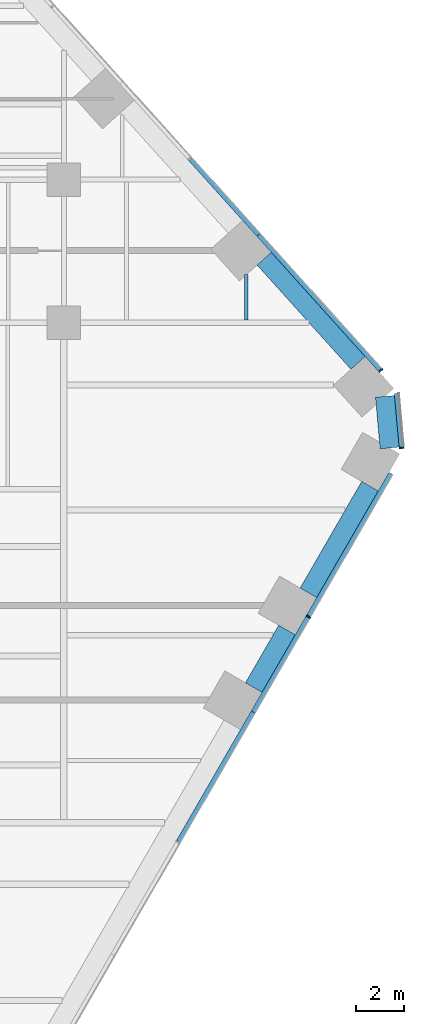
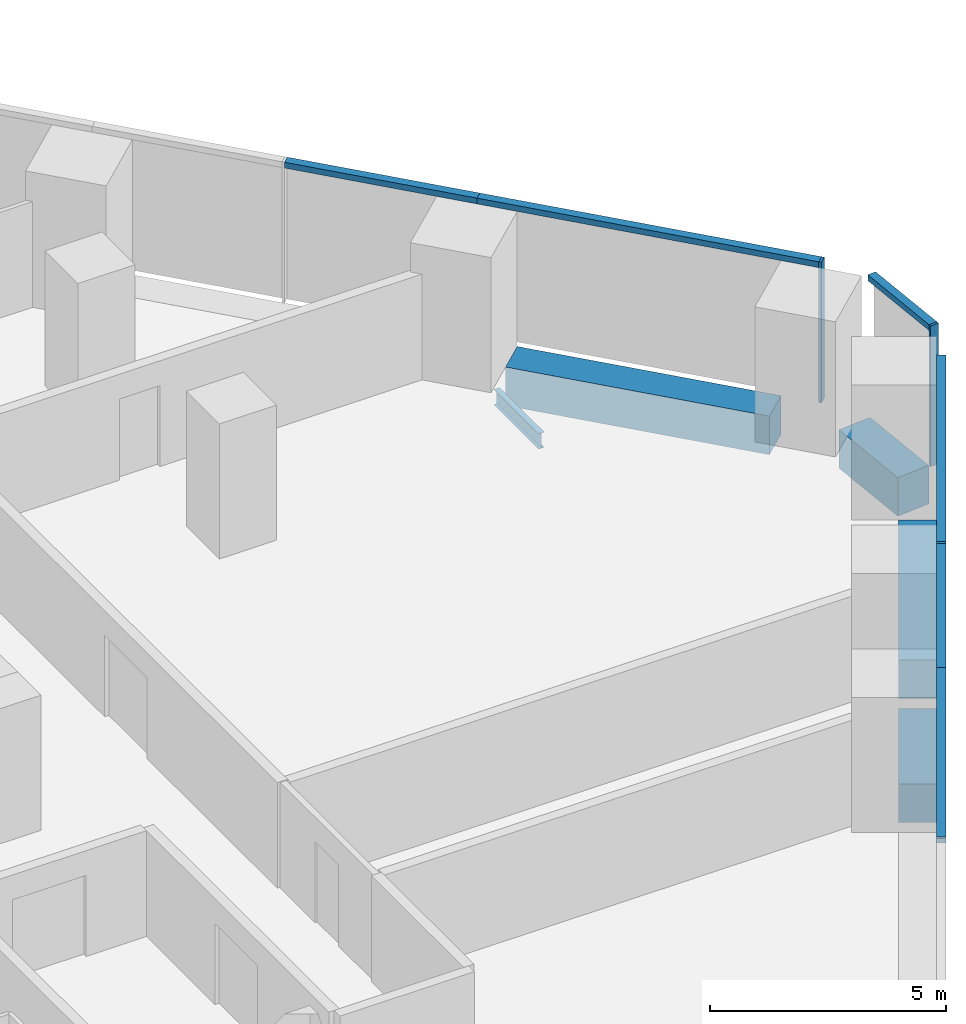
# One storey, part 11 of 20: 9 members, 5 beams, 3 elements without a shape of their own.
"""IFC4 building model written with IfcOpenShell, lengths in metres."""

from ifc_helpers import new_model, si_unit, direction, frame, origin, origin_2d, place, context, subcontext, project, spatial, rectangle, i_section, extrude, material, layer, layer_set, material_profile, profile_set, type_object, element, aggregate, save


model = new_model("IFC4")

# Units and contexts
model_context = context("Model", 3, precision=1e-05, world=origin(), true_north=direction((0.0, 1.0)))
body_context = subcontext(model_context, "Body", "Model", "MODEL_VIEW")
ifc_project = project(units=[si_unit("LENGTHUNIT", "METRE"), si_unit("AREAUNIT", "SQUARE_METRE"), si_unit("VOLUMEUNIT", "CUBIC_METRE"), si_unit("PLANEANGLEUNIT", "RADIAN"), si_unit("MASSUNIT", "GRAM", prefix="KILO")], contexts=[model_context])

# Site, building, storey
site_placement = place(None, origin())
site = spatial("IfcSite", under=ifc_project, at=site_placement, CompositionType="ELEMENT")
building_placement = place(site_placement, origin())
building = spatial("IfcBuilding", under=site, at=building_placement, Name="Isthmus Gate Tower", CompositionType="ELEMENT")
storey_placement = place(building_placement, frame((0.0, 0.0, 43.300048828125)))
storey = spatial("IfcBuildingStorey", under=building, at=storey_placement, Name="L08", CompositionType="ELEMENT", Elevation=43.300048828125)

# Curtain wall, member
ifc_material_1 = material(Name="Aluminium, pale champagne anodised", Category="aluminium")
ifc_layer = layer(ifc_material_1, 0.199951171875)
ifc_layer_set = layer_set([ifc_layer], Name="CW-1 UNITISED CURTAIN WALL 200 DEEP")
curtain_wall_type = type_object("IfcCurtainWallType", Name="CW-1 UNITISED CURTAIN WALL 200 DEEP", PredefinedType="NOTDEFINED", material=ifc_layer_set)
curtain_wall_1_placement = place(storey_placement, origin())
curtain_wall_1 = element("IfcCurtainWall", 1, at=curtain_wall_1_placement, inside=storey, type_object=curtain_wall_type, Name="CW-1 SE L08", PredefinedType="NOTDEFINED")
ifc_material_2 = material(Name="Aluminium, pale champagne anodised", Category="aluminium")
ifc_material_profile_1 = material_profile(ifc_material_2, rectangle(XDim=0.06005859375, YDim=0.199951171875, at=origin_2d()), Name="60x200")
ifc_profile_set_1 = profile_set([ifc_material_profile_1], Name="Aluminium, pale champagne anodised")
member_type_1 = type_object("IfcMemberType", Name="CW-1 MULLION 60 X 200", PredefinedType="MULLION", material=ifc_profile_set_1)
member_1_placement = place(storey_placement, frame((34.267822265625, -4.846435546875, 0.0), z_axis=(0.0, 0.0, 1.0), x_axis=(0.5, 0.866025403784, 0.0)))
member_1 = element("IfcMember", 2, at=member_1_placement, type_object=member_type_1, Name="CW-1 mullion", PredefinedType="MULLION", context=body_context, shape_type="SweptSolid", body=[
    extrude(rectangle(XDim=0.06005859375, YDim=0.199951171875, at=origin_2d()), origin(), (0.0, 0.0, 1.0), 3.64990234375),
])

curtain_wall_2_placement = place(storey_placement, origin())
curtain_wall_2 = element("IfcCurtainWall", 3, at=curtain_wall_2_placement, inside=storey, type_object=curtain_wall_type, Name="CW-1 SE-NE L08", PredefinedType="NOTDEFINED")
member_2_placement = place(storey_placement, frame((38.178955078125, 2.24169921875, 0.0), z_axis=(0.0, 0.0, 1.0), x_axis=(-0.089396669717, 0.995996102123, 0.0)))
member_2 = element("IfcMember", 4, at=member_2_placement, type_object=member_type_1, Name="CW-1 mullion", PredefinedType="MULLION", context=body_context, shape_type="SweptSolid", body=[
    extrude(rectangle(XDim=0.06005859375, YDim=0.199951171875, at=origin_2d()), origin(), (0.0, 0.0, 1.0), 3.64990234375),
])

curtain_wall_3_placement = place(storey_placement, origin())
curtain_wall_3 = element("IfcCurtainWall", 5, at=curtain_wall_3_placement, inside=storey, type_object=curtain_wall_type, Name="CW-1 NE L08", PredefinedType="NOTDEFINED")
member_3_placement = place(storey_placement, frame((37.306640625, 5.494384765625, 0.0), z_axis=(0.0, 0.0, 1.0), x_axis=(-0.669130606359, 0.743144825477, 0.0)))
member_3 = element("IfcMember", 6, at=member_3_placement, type_object=member_type_1, Name="CW-1 mullion", PredefinedType="MULLION", context=body_context, shape_type="SweptSolid", body=[
    extrude(rectangle(XDim=0.06005859375, YDim=0.199951171875, at=origin_2d()), origin(), (0.0, 0.0, 1.0), 3.64990234375),
])

# Member
ifc_material_3 = material(Name="Aluminium, pale champagne anodised", Category="aluminium")
ifc_material_profile_2 = material_profile(ifc_material_3, rectangle(XDim=0.199951171875, YDim=0.14990234375, at=origin_2d()), Name="200x150")
ifc_profile_set_2 = profile_set([ifc_material_profile_2], Name="Aluminium, pale champagne anodised")
member_type_2 = type_object("IfcMemberType", Name="CW-1 TRANSOM 200 X 150", PredefinedType="USERDEFINED", material=ifc_profile_set_2)
member_4_placement = place(storey_placement, frame((28.817138671875, -14.287353515625, 3.574951171875), z_axis=(0.499995104884, 0.866028229963, 0.0), x_axis=(-0.866028229963, 0.499995104884, 0.0)))
member_4 = element("IfcMember", 7, at=member_4_placement, type_object=member_type_2, Name="CW-1 transom", ObjectType="TRANSOM", PredefinedType="USERDEFINED", context=body_context, shape_type="SweptSolid", body=[
    extrude(rectangle(XDim=0.199951171875, YDim=0.14990234375, at=origin_2d()), origin(), (0.0, 0.0, 1.0), 6.2783203125),
])

member_5_placement = place(storey_placement, frame((31.956298828125, -8.85009765625, 3.574951171875), z_axis=(0.499992401796, 0.866029790565, 0.0), x_axis=(-0.866029790565, 0.499992401796, 0.0)))
member_5 = element("IfcMember", 8, at=member_5_placement, type_object=member_type_2, Name="CW-1 transom", ObjectType="TRANSOM", PredefinedType="USERDEFINED", context=body_context, shape_type="SweptSolid", body=[
    extrude(rectangle(XDim=0.199951171875, YDim=0.14990234375, at=origin_2d()), origin(), (0.0, 0.0, 1.0), 4.5927734375),
])

member_6_placement = place(storey_placement, frame((34.28271484375, -4.820556640625, 3.574951171875), z_axis=(0.500003839917, 0.866023186796, 0.0), x_axis=(-0.866023186796, 0.500003839917, 0.0)))
member_6 = element("IfcMember", 9, at=member_6_placement, type_object=member_type_2, Name="CW-1 transom", ObjectType="TRANSOM", PredefinedType="USERDEFINED", context=body_context, shape_type="SweptSolid", body=[
    extrude(rectangle(XDim=0.199951171875, YDim=0.14990234375, at=origin_2d()), origin(), (0.0, 0.0, 1.0), 6.90966796875),
])

aggregate(curtain_wall_1, [member_4, member_5, member_1, member_6])

member_7_placement = place(storey_placement, frame((38.17626953125, 2.271728515625, 3.574951171875), z_axis=(-0.089395362867, 0.995996219419, 0.0), x_axis=(-0.995996219419, -0.089395362867, 0.0)))
member_7 = element("IfcMember", 10, at=member_7_placement, type_object=member_type_2, Name="CW-1 transom", ObjectType="TRANSOM", PredefinedType="USERDEFINED", context=body_context, shape_type="SweptSolid", body=[
    extrude(rectangle(XDim=0.199951171875, YDim=0.14990234375, at=origin_2d()), origin(), (0.0, 0.0, 1.0), 2.258544921875),
])

aggregate(curtain_wall_2, [member_2, member_7])

member_8_placement = place(storey_placement, frame((37.28662109375, 5.5166015625, 3.574951171875), z_axis=(-0.66912913739, 0.74314614814, 0.0), x_axis=(-0.74314614814, -0.66912913739, 0.0)))
member_8 = element("IfcMember", 11, at=member_8_placement, type_object=member_type_2, Name="CW-1 transom", ObjectType="TRANSOM", PredefinedType="USERDEFINED", context=body_context, shape_type="SweptSolid", body=[
    extrude(rectangle(XDim=0.199951171875, YDim=0.14990234375, at=origin_2d()), origin(), (0.0, 0.0, 1.0), 7.62939453125),
])

member_9_placement = place(storey_placement, frame((32.181640625, 11.186279296875, 3.574951171875), z_axis=(-0.669131169216, 0.743144318678, 0.0), x_axis=(-0.743144318678, -0.669131169216, 0.0)))
member_9 = element("IfcMember", 12, at=member_9_placement, type_object=member_type_2, Name="CW-1 transom", ObjectType="TRANSOM", PredefinedType="USERDEFINED", context=body_context, shape_type="SweptSolid", body=[
    extrude(rectangle(XDim=0.199951171875, YDim=0.14990234375, at=origin_2d()), origin(), (0.0, 0.0, 1.0), 4.294677734375),
])

aggregate(curtain_wall_3, [member_3, member_8, member_9])

# Beams
ifc_material_4 = material(Name="Concrete f'c 70 MPa", Category="concrete")
ifc_material_profile_3 = material_profile(ifc_material_4, rectangle(XDim=0.800048828125, YDim=1.0, at=origin_2d()), Name="RC 800X1000")
ifc_profile_set_3 = profile_set([ifc_material_profile_3], Name="Concrete f'c 70 MPa")
beam_type_1 = type_object("IfcBeamType", Name="RC SPANDREL 800 X 1000", PredefinedType="SPANDREL", material=ifc_profile_set_3)
beam_1_placement = place(storey_placement, frame((32.412353515625, 10.182861328125, -0.5), z_axis=(0.669138782017, -0.743137464001, 0.0), x_axis=(0.743137464001, 0.669138782017, 0.0)))
element("IfcBeam", 13, at=beam_1_placement, inside=storey, type_object=beam_type_1, Name="str-spandrel-L08-04", PredefinedType="SPANDREL", context=body_context, shape_type="SweptSolid", body=[
    extrude(rectangle(XDim=0.800048828125, YDim=1.0, at=origin_2d()), origin(), (0.0, 0.0, 1.0), 5.88916015625),
])
beam_2_placement = place(storey_placement, frame((37.483154296875, 4.40185546875, -0.5), z_axis=(0.089421511639, -0.995993872098, 0.0), x_axis=(0.995993872098, 0.089421511639, 0.0)))
element("IfcBeam", 14, at=beam_2_placement, inside=storey, type_object=beam_type_1, Name="str-spandrel-L08-05", PredefinedType="SPANDREL", context=body_context, shape_type="SweptSolid", body=[
    extrude(rectangle(XDim=0.800048828125, YDim=1.0, at=origin_2d()), origin(), (0.0, 0.0, 1.0), 2.17333984375),
])
beam_3_placement = place(storey_placement, frame((36.8544921875, 0.6337890625, -0.5), z_axis=(-0.50000453793, -0.866022783793, 0.0), x_axis=(0.866022783793, -0.50000453793, 0.0)))
element("IfcBeam", 15, at=beam_3_placement, inside=storey, type_object=beam_type_1, Name="str-spandrel-L08-06", PredefinedType="SPANDREL", context=body_context, shape_type="SweptSolid", body=[
    extrude(rectangle(XDim=0.800048828125, YDim=1.0, at=origin_2d()), origin(), (0.0, 0.0, 1.0), 5.16943359375),
])
beam_4_placement = place(storey_placement, frame((33.369873046875, -5.40185546875, -0.5), z_axis=(-0.500012514453, -0.866018178441, 0.0), x_axis=(0.866018178441, -0.500012514453, 0.0)))
element("IfcBeam", 16, at=beam_4_placement, inside=storey, type_object=beam_type_1, Name="str-spandrel-L08-07", PredefinedType="SPANDREL", context=body_context, shape_type="SweptSolid", body=[
    extrude(rectangle(XDim=0.800048828125, YDim=1.0, at=origin_2d()), origin(), (0.0, 0.0, 1.0), 2.79296875),
])
ifc_material_5 = material(Name="Structural steel ASTM A992 Gr 50", Category="steel")
ifc_material_profile_4 = material_profile(ifc_material_5, i_section(OverallWidth=0.1396484375, OverallDepth=0.4033203125, WebThickness=0.00634765625, FlangeThickness=0.010986328125, at=origin_2d()), Name="W16X31")
ifc_profile_set_4 = profile_set([ifc_material_profile_4], Name="Structural steel ASTM A992 Gr 50")
beam_type_2 = type_object("IfcBeamType", Name="STEEL FLOOR BEAM W16X31", PredefinedType="JOIST", material=ifc_profile_set_4)
beam_5_placement = place(storey_placement, frame((31.666259765625, 7.6142578125, -0.3515625), z_axis=(0.0, 1.0, 0.0), x_axis=(-1.0, 0.0, 0.0)))
element("IfcBeam", 17, at=beam_5_placement, inside=storey, type_object=beam_type_2, Name="str-beam-L08-33-01", PredefinedType="JOIST", context=body_context, shape_type="SweptSolid", body=[
    extrude(i_section(OverallWidth=0.1396484375, OverallDepth=0.4033203125, WebThickness=0.00634765625, FlangeThickness=0.010986328125, at=origin_2d()), origin(), (0.0, 0.0, 1.0), 1.89697265625),
])

save(model, "model.ifc")
